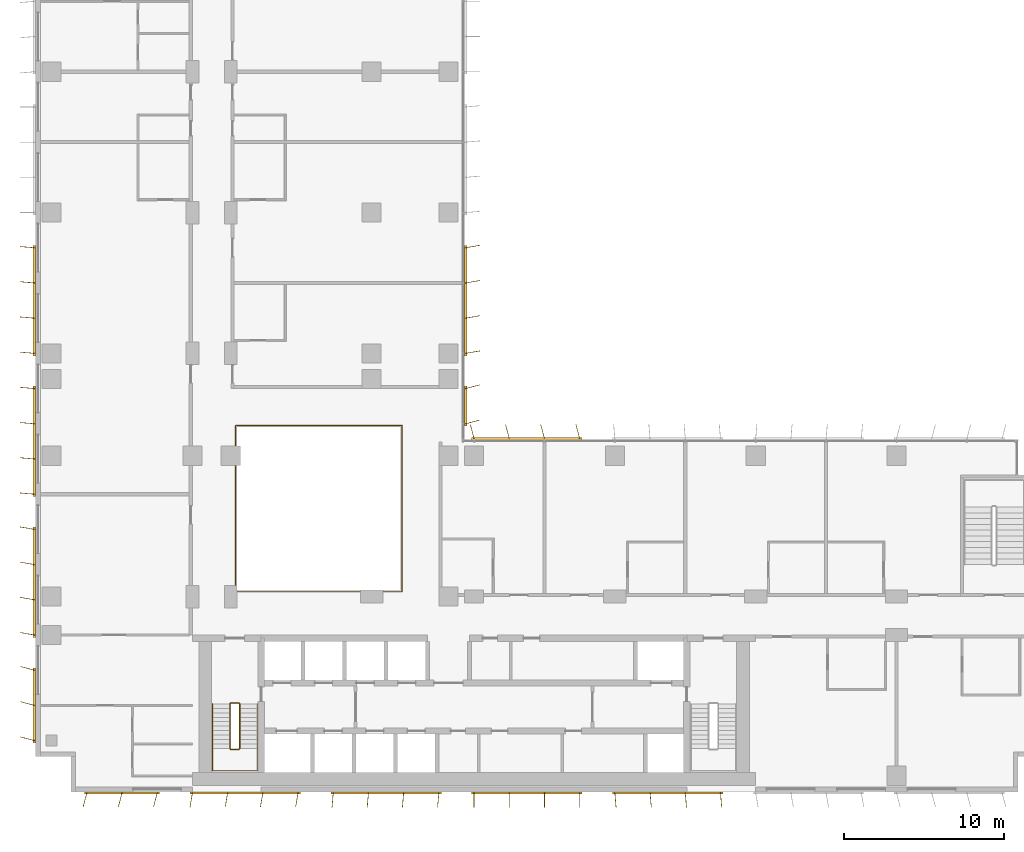
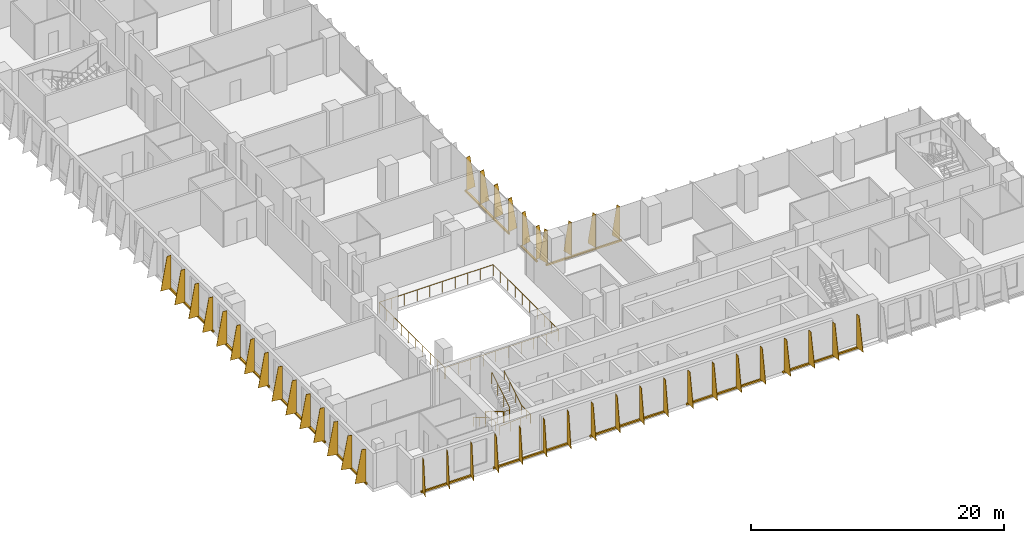
# One storey, part 19 of 22: 12 shading devices, 3 railings.
"""IFC4 building model written with IfcOpenShell, lengths in metres."""

from ifc_helpers import new_model, si_unit, direction, frame, origin, origin_2d, place, context, subcontext, project, spatial, polyline, rectangle, circle, outline, extrude, source, transform, mapped, material, layer, layer_set, type_object, element, save


model = new_model("IFC4")

# Units and contexts
model_context = context("Model", 3, precision=1e-05, world=origin(), true_north=direction((0.0, 1.0)))
body_context = subcontext(model_context, "Body", "Model", "MODEL_VIEW")
ifc_project = project(units=[si_unit("LENGTHUNIT", "METRE"), si_unit("AREAUNIT", "SQUARE_METRE"), si_unit("VOLUMEUNIT", "CUBIC_METRE"), si_unit("PLANEANGLEUNIT", "RADIAN"), si_unit("MASSUNIT", "GRAM", prefix="KILO")], contexts=[model_context])

# Site, building, storey
site_placement = place(None, origin())
site = spatial("IfcSite", under=ifc_project, at=site_placement, CompositionType="ELEMENT")
building_placement = place(site_placement, origin())
building = spatial("IfcBuilding", under=site, at=building_placement, Name="Kemantara Hotel Tower", CompositionType="ELEMENT")
storey_placement = place(building_placement, frame((0.0, 0.0, 122.199951171875)))
storey = spatial("IfcBuildingStorey", under=building, at=storey_placement, Name="L29", CompositionType="ELEMENT", Elevation=122.199951171875)

# Railings
ifc_material_1 = material(Name="Stainless steel and laminated glass balustrade", Category="steel")
railing_type_1 = type_object("IfcRailingType", Name="ATRIUM GUARD 1100", PredefinedType="GUARDRAIL", material=ifc_material_1)
railing_1_placement = place(storey_placement, frame((12.56005859375, 12.5, 0.0)))
element("IfcRailing", 1, at=railing_1_placement, inside=storey, type_object=railing_type_1, Name="ATRIUM GUARD L29", PredefinedType="GUARDRAIL", context=body_context, shape_type="SweptSolid", body=[
    extrude(circle(Radius=0.02490234375, at=origin_2d()), frame((0.0, 0.0, 1.0751953125), z_axis=(1.0, 0.0, 0.0), x_axis=(0.0, 1.0, 0.0)), (0.0, 0.0, 1.0), 10.33984375),
    extrude(circle(Radius=0.02490234375, at=origin_2d()), frame((10.33984375, 0.0, 1.0751953125), z_axis=(0.0, 1.0, 0.0), x_axis=(-1.0, 0.0, 0.0)), (0.0, 0.0, 1.0), 10.39990234375),
    extrude(circle(Radius=0.02490234375, at=origin_2d()), frame((10.33984375, 10.39990234375, 1.0751953125), z_axis=(-1.0, 0.0, 0.0), x_axis=(0.0, -1.0, 0.0)), (0.0, 0.0, 1.0), 10.39990234375),
    extrude(circle(Radius=0.02490234375, at=origin_2d()), frame((-0.06005859375, 10.39990234375, 1.0751953125), z_axis=(0.0, -1.0, 0.0), x_axis=(1.0, 0.0, 0.0)), (0.0, 0.0, 1.0), 10.39990234375),
    extrude(circle(Radius=0.02001953125, at=origin_2d()), origin(), (0.0, 0.0, 1.0), 1.050048828125),
    extrude(circle(Radius=0.02001953125, at=origin_2d()), frame((1.14892578125, 0.0, 0.0)), (0.0, 0.0, 1.0), 1.050048828125),
    extrude(circle(Radius=0.02001953125, at=origin_2d()), frame((2.2978515625, 0.0, 0.0)), (0.0, 0.0, 1.0), 1.050048828125),
    extrude(circle(Radius=0.02001953125, at=origin_2d()), frame((3.446533203125, 0.0, 0.0)), (0.0, 0.0, 1.0), 1.050048828125),
    extrude(circle(Radius=0.02001953125, at=origin_2d()), frame((4.595458984375, 0.0, 0.0)), (0.0, 0.0, 1.0), 1.050048828125),
    extrude(circle(Radius=0.02001953125, at=origin_2d()), frame((5.744384765625, 0.0, 0.0)), (0.0, 0.0, 1.0), 1.050048828125),
    extrude(circle(Radius=0.02001953125, at=origin_2d()), frame((6.893310546875, 0.0, 0.0)), (0.0, 0.0, 1.0), 1.050048828125),
    extrude(circle(Radius=0.02001953125, at=origin_2d()), frame((8.0419921875, 0.0, 0.0)), (0.0, 0.0, 1.0), 1.050048828125),
    extrude(circle(Radius=0.02001953125, at=origin_2d()), frame((9.19091796875, 0.0, 0.0)), (0.0, 0.0, 1.0), 1.050048828125),
    extrude(circle(Radius=0.02001953125, at=origin_2d()), frame((10.33984375, 0.0, 0.0)), (0.0, 0.0, 1.0), 1.050048828125),
    extrude(circle(Radius=0.02001953125, at=origin_2d()), frame((10.33984375, 1.155517578125, 0.0)), (0.0, 0.0, 1.0), 1.050048828125),
    extrude(circle(Radius=0.02001953125, at=origin_2d()), frame((10.33984375, 2.31103515625, 0.0)), (0.0, 0.0, 1.0), 1.050048828125),
    extrude(circle(Radius=0.02001953125, at=origin_2d()), frame((10.33984375, 3.466552734375, 0.0)), (0.0, 0.0, 1.0), 1.050048828125),
    extrude(circle(Radius=0.02001953125, at=origin_2d()), frame((10.33984375, 4.6220703125, 0.0)), (0.0, 0.0, 1.0), 1.050048828125),
    extrude(circle(Radius=0.02001953125, at=origin_2d()), frame((10.33984375, 5.77783203125, 0.0)), (0.0, 0.0, 1.0), 1.050048828125),
    extrude(circle(Radius=0.02001953125, at=origin_2d()), frame((10.33984375, 6.933349609375, 0.0)), (0.0, 0.0, 1.0), 1.050048828125),
    extrude(circle(Radius=0.02001953125, at=origin_2d()), frame((10.33984375, 8.0888671875, 0.0)), (0.0, 0.0, 1.0), 1.050048828125),
    extrude(circle(Radius=0.02001953125, at=origin_2d()), frame((10.33984375, 9.244384765625, 0.0)), (0.0, 0.0, 1.0), 1.050048828125),
    extrude(circle(Radius=0.02001953125, at=origin_2d()), frame((10.33984375, 10.39990234375, 0.0)), (0.0, 0.0, 1.0), 1.050048828125),
    extrude(circle(Radius=0.02001953125, at=origin_2d()), frame((9.184326171875, 10.39990234375, 0.0)), (0.0, 0.0, 1.0), 1.050048828125),
    extrude(circle(Radius=0.02001953125, at=origin_2d()), frame((8.02880859375, 10.39990234375, 0.0)), (0.0, 0.0, 1.0), 1.050048828125),
    extrude(circle(Radius=0.02001953125, at=origin_2d()), frame((6.873291015625, 10.39990234375, 0.0)), (0.0, 0.0, 1.0), 1.050048828125),
    extrude(circle(Radius=0.02001953125, at=origin_2d()), frame((5.7177734375, 10.39990234375, 0.0)), (0.0, 0.0, 1.0), 1.050048828125),
    extrude(circle(Radius=0.02001953125, at=origin_2d()), frame((4.56201171875, 10.39990234375, 0.0)), (0.0, 0.0, 1.0), 1.050048828125),
    extrude(circle(Radius=0.02001953125, at=origin_2d()), frame((3.406494140625, 10.39990234375, 0.0)), (0.0, 0.0, 1.0), 1.050048828125),
    extrude(circle(Radius=0.02001953125, at=origin_2d()), frame((2.2509765625, 10.39990234375, 0.0)), (0.0, 0.0, 1.0), 1.050048828125),
    extrude(circle(Radius=0.02001953125, at=origin_2d()), frame((1.095458984375, 10.39990234375, 0.0)), (0.0, 0.0, 1.0), 1.050048828125),
    extrude(circle(Radius=0.02001953125, at=origin_2d()), frame((-0.06005859375, 10.39990234375, 0.0)), (0.0, 0.0, 1.0), 1.050048828125),
    extrude(circle(Radius=0.02001953125, at=origin_2d()), frame((-0.06005859375, 9.244384765625, 0.0)), (0.0, 0.0, 1.0), 1.050048828125),
    extrude(circle(Radius=0.02001953125, at=origin_2d()), frame((-0.06005859375, 8.0888671875, 0.0)), (0.0, 0.0, 1.0), 1.050048828125),
    extrude(circle(Radius=0.02001953125, at=origin_2d()), frame((-0.06005859375, 6.933349609375, 0.0)), (0.0, 0.0, 1.0), 1.050048828125),
    extrude(circle(Radius=0.02001953125, at=origin_2d()), frame((-0.06005859375, 5.77783203125, 0.0)), (0.0, 0.0, 1.0), 1.050048828125),
    extrude(circle(Radius=0.02001953125, at=origin_2d()), frame((-0.06005859375, 4.6220703125, 0.0)), (0.0, 0.0, 1.0), 1.050048828125),
    extrude(circle(Radius=0.02001953125, at=origin_2d()), frame((-0.06005859375, 3.466552734375, 0.0)), (0.0, 0.0, 1.0), 1.050048828125),
    extrude(circle(Radius=0.02001953125, at=origin_2d()), frame((-0.06005859375, 2.31103515625, 0.0)), (0.0, 0.0, 1.0), 1.050048828125),
    extrude(circle(Radius=0.02001953125, at=origin_2d()), frame((-0.06005859375, 1.155517578125, 0.0)), (0.0, 0.0, 1.0), 1.050048828125),
    extrude(circle(Radius=0.02001953125, at=origin_2d()), frame((-0.06005859375, 0.0, 0.0)), (0.0, 0.0, 1.0), 1.050048828125),
])
ifc_material_2 = material(Name="Stainless steel balustrade", Category="steel")
railing_type_2 = type_object("IfcRailingType", Name="Stair guard 1100 mm", PredefinedType="GUARDRAIL", material=ifc_material_2)
railing_2_placement = place(storey_placement, frame((12.75, 5.5, 3.699951171875)))
element("IfcRailing", 2, at=railing_2_placement, inside=storey, type_object=railing_type_2, Name="L29 ST1 stair guard 1", PredefinedType="GUARDRAIL", context=body_context, shape_type="SweptSolid", body=[
    extrude(circle(Radius=0.02392578125, at=origin_2d()), frame((0.0, 0.0, 1.076171875), z_axis=(0.0, -0.857275202839, -0.514858452973), x_axis=(1.0, 0.0, 0.0)), (0.0, 0.0, 1.0), 3.26611328125),
    extrude(circle(Radius=0.02392578125, at=origin_2d()), frame((0.0, -2.800048828125, -0.60546875), z_axis=(-0.274243871929, -0.274243871929, -0.92172696468), x_axis=(0.707106781187, -0.707106781187, 0.0)), (0.0, 0.0, 1.0), 0.1826171875),
    extrude(circle(Radius=0.02392578125, at=origin_2d()), frame((-0.050048828125, -2.85009765625, -0.77392578125), z_axis=(-1.0, 0.0, 0.0), x_axis=(0.0, -1.0, 0.0)), (0.0, 0.0, 1.0), 0.5),
    extrude(circle(Radius=0.02392578125, at=origin_2d()), frame((-0.550048828125, -2.85009765625, -0.77392578125), z_axis=(-0.707106781187, 0.707106781187, 0.0), x_axis=(-0.707106781187, -0.707106781187, 0.0)), (0.0, 0.0, 1.0), 0.07080078125),
    extrude(circle(Radius=0.02392578125, at=origin_2d()), frame((-0.60009765625, -2.800048828125, -0.77392578125), z_axis=(0.0, 0.857242210791, -0.514913383045), x_axis=(-1.0, 0.0, 0.0)), (0.0, 0.0, 1.0), 3.266357421875),
    extrude(circle(Radius=0.02392578125, at=origin_2d()), frame((-0.60009765625, 0.0, -2.45556640625), z_axis=(0.274243871929, 0.274243871929, -0.92172696468), x_axis=(-0.707106781187, 0.707106781187, 0.0)), (0.0, 0.0, 1.0), 0.1826171875),
    extrude(circle(Radius=0.02392578125, at=origin_2d()), frame((-0.550048828125, 0.050048828125, -2.6240234375), z_axis=(1.0, 0.0, 0.0), x_axis=(0.0, 1.0, 0.0)), (0.0, 0.0, 1.0), 0.5),
    extrude(circle(Radius=0.02099609375, at=origin_2d()), origin(), (0.0, 0.0, 1.0), 1.052001953125),
    extrude(circle(Radius=0.02099609375, at=origin_2d()), frame((0.0, -0.933349609375, -0.560546875)), (0.0, 0.0, 1.0), 1.052001953125),
    extrude(circle(Radius=0.02099609375, at=origin_2d()), frame((0.0, -1.86669921875, -1.12109375)), (0.0, 0.0, 1.0), 1.052001953125),
    extrude(circle(Radius=0.02099609375, at=origin_2d()), frame((0.0, -2.800048828125, -1.681640625)), (0.0, 0.0, 1.0), 1.052001953125),
    extrude(circle(Radius=0.02099609375, at=origin_2d()), frame((-0.050048828125, -2.85009765625, -1.849853515625)), (0.0, 0.0, 1.0), 1.052001953125),
    extrude(circle(Radius=0.02099609375, at=origin_2d()), frame((-0.550048828125, -2.85009765625, -1.849853515625)), (0.0, 0.0, 1.0), 1.052001953125),
    extrude(circle(Radius=0.02099609375, at=origin_2d()), frame((-0.60009765625, -2.800048828125, -1.849853515625)), (0.0, 0.0, 1.0), 1.052001953125),
    extrude(circle(Radius=0.02099609375, at=origin_2d()), frame((-0.60009765625, -1.86669921875, -2.410400390625)), (0.0, 0.0, 1.0), 1.052001953125),
    extrude(circle(Radius=0.02099609375, at=origin_2d()), frame((-0.60009765625, -0.933349609375, -2.97119140625)), (0.0, 0.0, 1.0), 1.052001953125),
    extrude(circle(Radius=0.02099609375, at=origin_2d()), frame((-0.60009765625, 0.0, -3.53173828125)), (0.0, 0.0, 1.0), 1.052001953125),
    extrude(circle(Radius=0.02099609375, at=origin_2d()), frame((-0.550048828125, 0.050048828125, -3.699951171875)), (0.0, 0.0, 1.0), 1.052001953125),
    extrude(circle(Radius=0.02099609375, at=origin_2d()), frame((-0.050048828125, 0.050048828125, -3.699951171875)), (0.0, 0.0, 1.0), 1.052001953125),
])
railing_type_3 = type_object("IfcRailingType", Name="Stair handrail 900 mm", PredefinedType="HANDRAIL", material=ifc_material_2)
railing_3_placement = place(storey_placement, frame((11.050048828125, 5.5, 0.168212890625)))
element("IfcRailing", 3, at=railing_3_placement, inside=storey, type_object=railing_type_3, Name="L29 ST1 stair handrail 1", PredefinedType="HANDRAIL", context=body_context, shape_type="SweptSolid", body=[
    extrude(circle(Radius=0.02392578125, at=origin_2d()), frame((0.0, 0.0, 0.8759765625), z_axis=(0.0, -0.857242210791, 0.514913383045), x_axis=(1.0, 0.0, 0.0)), (0.0, 0.0, 1.0), 3.266357421875),
    extrude(circle(Radius=0.02392578125, at=origin_2d()), frame((0.0, -2.800048828125, 2.5576171875), z_axis=(0.0, -1.0, 0.0), x_axis=(1.0, 0.0, 0.0)), (0.0, 0.0, 1.0), 1.3798828125),
    extrude(circle(Radius=0.02392578125, at=origin_2d()), frame((0.0, -4.179931640625, 2.5576171875), z_axis=(0.998200367801, 0.0, 0.059966871865), x_axis=(0.0, 1.0, 0.0)), (0.0, 0.0, 1.0), 2.80517578125),
    extrude(circle(Radius=0.02392578125, at=origin_2d()), frame((2.800048828125, -4.179931640625, 2.72607421875), z_axis=(0.0, 1.0, 0.0), x_axis=(-1.0, 0.0, 0.0)), (0.0, 0.0, 1.0), 1.3798828125),
    extrude(circle(Radius=0.02392578125, at=origin_2d()), frame((2.800048828125, -2.800048828125, 2.72607421875), z_axis=(0.0, 0.857275202839, 0.514858452973), x_axis=(-1.0, 0.0, 0.0)), (0.0, 0.0, 1.0), 3.26611328125),
    extrude(circle(Radius=0.02099609375, at=origin_2d()), origin(), (0.0, 0.0, 1.0), 0.851806640625),
    extrude(circle(Radius=0.02099609375, at=origin_2d()), frame((0.0, -0.933349609375, 0.560546875)), (0.0, 0.0, 1.0), 0.851806640625),
    extrude(circle(Radius=0.02099609375, at=origin_2d()), frame((0.0, -1.86669921875, 1.121337890625)), (0.0, 0.0, 1.0), 0.851806640625),
    extrude(circle(Radius=0.02099609375, at=origin_2d()), frame((0.0, -2.800048828125, 1.681884765625)), (0.0, 0.0, 1.0), 0.851806640625),
    extrude(circle(Radius=0.02099609375, at=origin_2d()), frame((0.0, -3.489990234375, 1.681884765625)), (0.0, 0.0, 1.0), 0.851806640625),
    extrude(circle(Radius=0.02099609375, at=origin_2d()), frame((0.0, -4.179931640625, 1.681884765625)), (0.0, 0.0, 1.0), 0.851806640625),
    extrude(circle(Radius=0.02099609375, at=origin_2d()), frame((0.933349609375, -4.179931640625, 1.738037109375)), (0.0, 0.0, 1.0), 0.851806640625),
    extrude(circle(Radius=0.02099609375, at=origin_2d()), frame((1.86669921875, -4.179931640625, 1.7939453125)), (0.0, 0.0, 1.0), 0.851806640625),
    extrude(circle(Radius=0.02099609375, at=origin_2d()), frame((2.800048828125, -4.179931640625, 1.85009765625)), (0.0, 0.0, 1.0), 0.851806640625),
    extrude(circle(Radius=0.02099609375, at=origin_2d()), frame((2.800048828125, -3.489990234375, 1.85009765625)), (0.0, 0.0, 1.0), 0.851806640625),
    extrude(circle(Radius=0.02099609375, at=origin_2d()), frame((2.800048828125, -2.800048828125, 1.85009765625)), (0.0, 0.0, 1.0), 0.851806640625),
    extrude(circle(Radius=0.02099609375, at=origin_2d()), frame((2.800048828125, -1.86669921875, 2.41064453125)), (0.0, 0.0, 1.0), 0.851806640625),
    extrude(circle(Radius=0.02099609375, at=origin_2d()), frame((2.800048828125, -0.933349609375, 2.97119140625)), (0.0, 0.0, 1.0), 0.851806640625),
    extrude(circle(Radius=0.02099609375, at=origin_2d()), frame((2.800048828125, 0.0, 3.53173828125)), (0.0, 0.0, 1.0), 0.851806640625),
])

# Shading devices
ifc_material_3 = material(Name="Perforated aluminium plate 4 mm bronze anodised", Category="aluminium")
ifc_layer_1 = layer(ifc_material_3, 0.0400390625)
ifc_layer_set_1 = layer_set([ifc_layer_1], Name="Perforated aluminium plate 4 mm bronze anodised")
shading_device_type_1 = type_object("IfcShadingDeviceType", Name="SCREEN FIN CASSETTE, 3 BLADES AT -15.0 DEG, 3200 HIGH", PredefinedType="USERDEFINED", material=ifc_layer_set_1)
shared_shape_1 = source(origin(), body_context, "Body", "SweptSolid", [
    extrude(rectangle(XDim=4.699951171875, YDim=0.14990234375, at=origin_2d()), frame((2.199951171875, -0.074951171875, -0.14990234375), z_axis=(0.0, 0.0, 1.0), x_axis=(1.0, 0.0, 0.0)), (0.0, 0.0, 1.0), 0.14990234375),
    extrude(outline(polyline([(0.0, 0.0), (0.89990234375, 0.0), (0.35009765625, 3.199951171875), (0.0, 3.199951171875), (0.0, 0.0)])), frame((0.019287109375, -0.080078125, 0.0), z_axis=(-0.966437683387, 0.256901156343, 0.0), x_axis=(-0.256901156343, -0.966437683387, 0.0)), (0.0, 0.0, 1.0), 0.039794921875),
    extrude(outline(polyline([(0.0, 0.0), (0.89990234375, 0.0), (0.35009765625, 3.199951171875), (0.0, 3.199951171875), (0.0, 0.0)])), frame((2.21923828125, -0.080078125, 0.0), z_axis=(-0.966437683387, 0.256901156343, 0.0), x_axis=(-0.256901156343, -0.966437683387, 0.0)), (0.0, 0.0, 1.0), 0.039794921875),
    extrude(outline(polyline([(0.0, 0.0), (0.89990234375, 0.0), (0.35009765625, 3.199951171875), (0.0, 3.199951171875), (0.0, 0.0)])), frame((4.41943359375, -0.080078125, 0.0), z_axis=(-0.966837822169, 0.255391122837, 0.0), x_axis=(-0.255391122837, -0.966837822169, 0.0)), (0.0, 0.0, 1.0), 0.0400390625),
])
for number, where, z_axis, x_axis, name in (
    (4, (0.0, 7.60009765625, 0.10009765625), (0.0, 0.0, 1.0), (0.0, -1.0, 0.0), "SCREEN FIN CASSETTE L29 T2-R04-9"),
    (5, (3.199951171875, 0.0, 0.10009765625), (0.0, 0.0, 1.0), (1.0, 0.0, 0.0), "SCREEN FIN CASSETTE L29 T2-R07-1"),
):
    element("IfcShadingDevice", number, at=place(storey_placement, frame(where, z_axis=z_axis, x_axis=x_axis)), inside=storey, type_object=shading_device_type_1, Name=name, ObjectType="SCREEN FIN", PredefinedType="USERDEFINED", context=body_context, shape_type="MappedRepresentation", body=[
        mapped(shared_shape_1, transform((0.0, 0.0, 0.0))),
    ])
ifc_layer_2 = layer(ifc_material_3, 0.0400390625)
ifc_layer_set_2 = layer_set([ifc_layer_2], Name="Perforated aluminium plate 4 mm bronze anodised")
shading_device_type_2 = type_object("IfcShadingDeviceType", Name="SCREEN FIN CASSETTE, 4 BLADES AT -10.0 DEG, 3200 HIGH", PredefinedType="USERDEFINED", material=ifc_layer_set_2)
shared_shape_2 = source(origin(), body_context, "Body", "SweptSolid", [
    extrude(rectangle(XDim=6.89990234375, YDim=0.14990234375, at=origin_2d()), frame((3.300048828125, -0.074951171875, -0.14990234375), z_axis=(0.0, 0.0, 1.0), x_axis=(1.0, 0.0, 0.0)), (0.0, 0.0, 1.0), 0.14990234375),
    extrude(outline(polyline([(0.0, 0.0), (0.89990234375, 0.0), (0.35009765625, 3.199951171875), (0.0, 3.199951171875), (0.0, 0.0)])), frame((0.019775390625, -0.078369140625, 0.0), z_axis=(-0.985389793052, 0.170314285219, 0.0), x_axis=(-0.170314285219, -0.985389793052, 0.0)), (0.0, 0.0, 1.0), 0.0400390625),
    extrude(outline(polyline([(0.0, 0.0), (0.89990234375, 0.0), (0.35009765625, 3.199951171875), (0.0, 3.199951171875), (0.0, 0.0)])), frame((2.2197265625, -0.078369140625, 0.0), z_axis=(-0.98521175482, 0.171341174751, 0.0), x_axis=(-0.171341174751, -0.98521175482, 0.0)), (0.0, 0.0, 1.0), 0.039794921875),
    extrude(outline(polyline([(0.0, 0.0), (0.89990234375, 0.0), (0.35009765625, 3.199951171875), (0.0, 3.199951171875), (0.0, 0.0)])), frame((4.419677734375, -0.078369140625, 0.0), z_axis=(-0.98521175482, 0.171341174751, 0.0), x_axis=(-0.171341174751, -0.98521175482, 0.0)), (0.0, 0.0, 1.0), 0.039794921875),
    extrude(outline(polyline([(0.0, 0.0), (0.89990234375, 0.0), (0.35009765625, 3.199951171875), (0.0, 3.199951171875), (0.0, 0.0)])), frame((6.61962890625, -0.078369140625, 0.0), z_axis=(-0.98521175482, 0.171341174751, 0.0), x_axis=(-0.171341174751, -0.98521175482, 0.0)), (0.0, 0.0, 1.0), 0.039794921875),
])
for number, where, z_axis, x_axis, name in (
    (6, (0.0, 16.39990234375, 0.10009765625), (0.0, 0.0, 1.0), (0.0, -1.0, 0.0), "SCREEN FIN CASSETTE L29 T2-R04-8"),
    (7, (9.800048828125, 0.0, 0.10009765625), (0.0, 0.0, 1.0), (1.0, 0.0, 0.0), "SCREEN FIN CASSETTE L29 T2-R07-2"),
):
    element("IfcShadingDevice", number, at=place(storey_placement, frame(where, z_axis=z_axis, x_axis=x_axis)), inside=storey, type_object=shading_device_type_2, Name=name, ObjectType="SCREEN FIN", PredefinedType="USERDEFINED", context=body_context, shape_type="MappedRepresentation", body=[
        mapped(shared_shape_2, transform((0.0, 0.0, 0.0))),
    ])
ifc_layer_3 = layer(ifc_material_3, 0.0400390625)
ifc_layer_set_3 = layer_set([ifc_layer_3], Name="Perforated aluminium plate 4 mm bronze anodised")
shading_device_type_3 = type_object("IfcShadingDeviceType", Name="SCREEN FIN CASSETTE, 4 BLADES AT -5.0 DEG, 3200 HIGH", PredefinedType="USERDEFINED", material=ifc_layer_set_3)
shared_shape_3 = source(origin(), body_context, "Body", "SweptSolid", [
    extrude(rectangle(XDim=6.89990234375, YDim=0.14990234375, at=origin_2d()), frame((3.300048828125, -0.074951171875, -0.14990234375), z_axis=(0.0, 0.0, 1.0), x_axis=(1.0, 0.0, 0.0)), (0.0, 0.0, 1.0), 0.14990234375),
    extrude(outline(polyline([(0.0, 0.0), (0.89990234375, 0.0), (0.35009765625, 3.199951171875), (0.0, 3.199951171875), (0.0, 0.0)])), frame((0.02001953125, -0.07666015625, 0.0), z_axis=(-0.996376129781, 0.085056498884, 0.0), x_axis=(-0.085056498884, -0.996376129781, 0.0)), (0.0, 0.0, 1.0), 0.040283203125),
    extrude(outline(polyline([(0.0, 0.0), (0.89990234375, 0.0), (0.35009765625, 3.199951171875), (0.0, 3.199951171875), (0.0, 0.0)])), frame((2.219970703125, -0.07666015625, 0.0), z_axis=(-0.996331773833, 0.085574508182, 0.0), x_axis=(-0.085574508182, -0.996331773833, 0.0)), (0.0, 0.0, 1.0), 0.0400390625),
    extrude(outline(polyline([(0.0, 0.0), (0.89990234375, 0.0), (0.35009765625, 3.199951171875), (0.0, 3.199951171875), (0.0, 0.0)])), frame((4.419921875, -0.07666015625, 0.0), z_axis=(-0.996331773833, 0.085574508182, 0.0), x_axis=(-0.085574508182, -0.996331773833, 0.0)), (0.0, 0.0, 1.0), 0.0400390625),
    extrude(outline(polyline([(0.0, 0.0), (0.89990234375, 0.0), (0.35009765625, 3.199951171875), (0.0, 3.199951171875), (0.0, 0.0)])), frame((6.619873046875, -0.07666015625, 0.0), z_axis=(-0.996331773833, 0.085574508182, 0.0), x_axis=(-0.085574508182, -0.996331773833, 0.0)), (0.0, 0.0, 1.0), 0.0400390625),
])
for number, where, z_axis, x_axis, name in (
    (8, (0.0, 34.0, 0.10009765625), (0.0, 0.0, 1.0), (0.0, -1.0, 0.0), "SCREEN FIN CASSETTE L29 T2-R04-6"),
    (9, (0.0, 25.199951171875, 0.10009765625), (0.0, 0.0, 1.0), (0.0, -1.0, 0.0), "SCREEN FIN CASSETTE L29 T2-R04-7"),
    (10, (18.60009765625, 0.0, 0.10009765625), (0.0, 0.0, 1.0), (1.0, 0.0, 0.0), "SCREEN FIN CASSETTE L29 T2-R07-3"),
):
    element("IfcShadingDevice", number, at=place(storey_placement, frame(where, z_axis=z_axis, x_axis=x_axis)), inside=storey, type_object=shading_device_type_3, Name=name, ObjectType="SCREEN FIN", PredefinedType="USERDEFINED", context=body_context, shape_type="MappedRepresentation", body=[
        mapped(shared_shape_3, transform((0.0, 0.0, 0.0))),
    ])
ifc_layer_4 = layer(ifc_material_3, 0.0400390625)
ifc_layer_set_4 = layer_set([ifc_layer_4], Name="Perforated aluminium plate 4 mm bronze anodised")
shading_device_type_4 = type_object("IfcShadingDeviceType", Name="SCREEN FIN CASSETTE, 4 BLADES AT +0.0 DEG, 3200 HIGH", PredefinedType="USERDEFINED", material=ifc_layer_set_4)
shared_shape_4 = source(origin(), body_context, "Body", "SweptSolid", [
    extrude(rectangle(XDim=6.89990234375, YDim=0.14990234375, at=origin_2d()), frame((3.300048828125, -0.074951171875, -0.14990234375), z_axis=(0.0, 0.0, 1.0), x_axis=(1.0, 0.0, 0.0)), (0.0, 0.0, 1.0), 0.14990234375),
    extrude(outline(polyline([(0.0, 0.0), (0.89990234375, 0.0), (0.35009765625, 3.199951171875), (0.0, 3.199951171875), (0.0, 0.0)])), frame((0.02001953125, -0.074951171875, 0.0), z_axis=(-1.0, 0.0, 0.0), x_axis=(0.0, -1.0, 0.0)), (0.0, 0.0, 1.0), 0.0400390625),
    extrude(outline(polyline([(0.0, 0.0), (0.89990234375, 0.0), (0.35009765625, 3.199951171875), (0.0, 3.199951171875), (0.0, 0.0)])), frame((2.219970703125, -0.074951171875, 0.0), z_axis=(-1.0, 0.0, 0.0), x_axis=(0.0, -1.0, 0.0)), (0.0, 0.0, 1.0), 0.0400390625),
    extrude(outline(polyline([(0.0, 0.0), (0.89990234375, 0.0), (0.35009765625, 3.199951171875), (0.0, 3.199951171875), (0.0, 0.0)])), frame((4.419921875, -0.074951171875, 0.0), z_axis=(-1.0, 0.0, 0.0), x_axis=(0.0, -1.0, 0.0)), (0.0, 0.0, 1.0), 0.0400390625),
    extrude(outline(polyline([(0.0, 0.0), (0.89990234375, 0.0), (0.35009765625, 3.199951171875), (0.0, 3.199951171875), (0.0, 0.0)])), frame((6.6201171875, -0.074951171875, 0.0), z_axis=(-1.0, 0.0, 0.0), x_axis=(0.0, -1.0, 0.0)), (0.0, 0.0, 1.0), 0.0400390625),
])
shading_device_1_placement = place(storey_placement, frame((27.39990234375, 0.0, 0.10009765625), z_axis=(0.0, 0.0, 1.0), x_axis=(1.0, 0.0, 0.0)))
element("IfcShadingDevice", 11, at=shading_device_1_placement, inside=storey, type_object=shading_device_type_4, Name="SCREEN FIN CASSETTE L29 T2-R07-4", ObjectType="SCREEN FIN", PredefinedType="USERDEFINED", context=body_context, shape_type="MappedRepresentation", body=[
    mapped(shared_shape_4, transform((0.0, 0.0, 0.0))),
])
ifc_layer_5 = layer(ifc_material_3, 0.0400390625)
ifc_layer_set_5 = layer_set([ifc_layer_5], Name="Perforated aluminium plate 4 mm bronze anodised")
shading_device_type_5 = type_object("IfcShadingDeviceType", Name="SCREEN FIN CASSETTE, 4 BLADES AT +5.0 DEG, 3200 HIGH", PredefinedType="USERDEFINED", material=ifc_layer_set_5)
shared_shape_5 = source(origin(), body_context, "Body", "SweptSolid", [
    extrude(rectangle(XDim=6.89990234375, YDim=0.14990234375, at=origin_2d()), frame((3.300048828125, -0.074951171875, -0.14990234375), z_axis=(0.0, 0.0, 1.0), x_axis=(1.0, 0.0, 0.0)), (0.0, 0.0, 1.0), 0.14990234375),
    extrude(outline(polyline([(0.0, 0.0), (0.89990234375, 0.0), (0.35009765625, 3.199951171875), (0.0, 3.199951171875), (0.0, 0.0)])), frame((0.02001953125, -0.0732421875, 0.0), z_axis=(-0.996376129781, -0.085056498884, 0.0), x_axis=(0.085056498884, -0.996376129781, 0.0)), (0.0, 0.0, 1.0), 0.040283203125),
    extrude(outline(polyline([(0.0, 0.0), (0.89990234375, 0.0), (0.35009765625, 3.199951171875), (0.0, 3.199951171875), (0.0, 0.0)])), frame((2.219970703125, -0.0732421875, 0.0), z_axis=(-0.996331773833, -0.085574508182, 0.0), x_axis=(0.085574508182, -0.996331773833, 0.0)), (0.0, 0.0, 1.0), 0.0400390625),
    extrude(outline(polyline([(0.0, 0.0), (0.89990234375, 0.0), (0.35009765625, 3.199951171875), (0.0, 3.199951171875), (0.0, 0.0)])), frame((4.419921875, -0.0732421875, 0.0), z_axis=(-0.996331773833, -0.085574508182, 0.0), x_axis=(0.085574508182, -0.996331773833, 0.0)), (0.0, 0.0, 1.0), 0.0400390625),
    extrude(outline(polyline([(0.0, 0.0), (0.89990234375, 0.0), (0.35009765625, 3.199951171875), (0.0, 3.199951171875), (0.0, 0.0)])), frame((6.619873046875, -0.0732421875, 0.0), z_axis=(-0.996331773833, -0.085574508182, 0.0), x_axis=(0.085574508182, -0.996331773833, 0.0)), (0.0, 0.0, 1.0), 0.0400390625),
])
shading_device_2_placement = place(storey_placement, frame((36.199951171875, 0.0, 0.10009765625), z_axis=(0.0, 0.0, 1.0), x_axis=(1.0, 0.0, 0.0)))
element("IfcShadingDevice", 12, at=shading_device_2_placement, inside=storey, type_object=shading_device_type_5, Name="SCREEN FIN CASSETTE L29 T2-R07-5", ObjectType="SCREEN FIN", PredefinedType="USERDEFINED", context=body_context, shape_type="MappedRepresentation", body=[
    mapped(shared_shape_5, transform((0.0, 0.0, 0.0))),
])
ifc_layer_6 = layer(ifc_material_3, 0.0400390625)
ifc_layer_set_6 = layer_set([ifc_layer_6], Name="Perforated aluminium plate 4 mm bronze anodised")
shading_device_type_6 = type_object("IfcShadingDeviceType", Name="SCREEN FIN CASSETTE, 4 BLADES AT +10.0 DEG, 3200 HIGH", PredefinedType="USERDEFINED", material=ifc_layer_set_6)
shared_shape_6 = source(origin(), body_context, "Body", "SweptSolid", [
    extrude(rectangle(XDim=6.89990234375, YDim=0.14990234375, at=origin_2d()), frame((3.300048828125, -0.074951171875, -0.14990234375), z_axis=(0.0, 0.0, 1.0), x_axis=(1.0, 0.0, 0.0)), (0.0, 0.0, 1.0), 0.14990234375),
    extrude(outline(polyline([(0.0, 0.0), (0.89990234375, 0.0), (0.35009765625, 3.199951171875), (0.0, 3.199951171875), (0.0, 0.0)])), frame((0.019775390625, -0.071533203125, 0.0), z_axis=(-0.985389793052, -0.170314285219, 0.0), x_axis=(0.170314285219, -0.985389793052, 0.0)), (0.0, 0.0, 1.0), 0.0400390625),
    extrude(outline(polyline([(0.0, 0.0), (0.89990234375, 0.0), (0.35009765625, 3.199951171875), (0.0, 3.199951171875), (0.0, 0.0)])), frame((2.2197265625, -0.071533203125, 0.0), z_axis=(-0.98521175482, -0.171341174751, 0.0), x_axis=(0.171341174751, -0.98521175482, 0.0)), (0.0, 0.0, 1.0), 0.039794921875),
    extrude(outline(polyline([(0.0, 0.0), (0.89990234375, 0.0), (0.35009765625, 3.199951171875), (0.0, 3.199951171875), (0.0, 0.0)])), frame((4.419677734375, -0.071533203125, 0.0), z_axis=(-0.98521175482, -0.171341174751, 0.0), x_axis=(0.171341174751, -0.98521175482, 0.0)), (0.0, 0.0, 1.0), 0.039794921875),
    extrude(outline(polyline([(0.0, 0.0), (0.89990234375, 0.0), (0.35009765625, 3.199951171875), (0.0, 3.199951171875), (0.0, 0.0)])), frame((6.61962890625, -0.071533203125, 0.0), z_axis=(-0.98521175482, -0.171341174751, 0.0), x_axis=(0.171341174751, -0.98521175482, 0.0)), (0.0, 0.0, 1.0), 0.039794921875),
])
shading_device_3_placement = place(storey_placement, frame((26.800048828125, 27.39990234375, 0.10009765625), z_axis=(0.0, 0.0, 1.0), x_axis=(0.0, 1.0, 0.0)))
element("IfcShadingDevice", 13, at=shading_device_3_placement, inside=storey, type_object=shading_device_type_6, Name="SCREEN FIN CASSETTE L29 T2-R14-2", ObjectType="SCREEN FIN", PredefinedType="USERDEFINED", context=body_context, shape_type="MappedRepresentation", body=[
    mapped(shared_shape_6, transform((0.0, 0.0, 0.0))),
])
ifc_layer_7 = layer(ifc_material_3, 0.0400390625)
ifc_layer_set_7 = layer_set([ifc_layer_7], Name="Perforated aluminium plate 4 mm bronze anodised")
shading_device_type_7 = type_object("IfcShadingDeviceType", Name="SCREEN FIN CASSETTE, 4 BLADES AT +15.0 DEG, 3200 HIGH", PredefinedType="USERDEFINED", material=ifc_layer_set_7)
shared_shape_7 = source(origin(), body_context, "Body", "SweptSolid", [
    extrude(rectangle(XDim=6.89990234375, YDim=0.14990234375, at=origin_2d()), frame((3.300048828125, -0.074951171875, -0.14990234375), z_axis=(0.0, 0.0, 1.0), x_axis=(1.0, 0.0, 0.0)), (0.0, 0.0, 1.0), 0.14990234375),
    extrude(outline(polyline([(0.0, 0.0), (0.89990234375, 0.0), (0.35009765625, 3.199951171875), (0.0, 3.199951171875), (0.0, 0.0)])), frame((0.019287109375, -0.06982421875, 0.0), z_axis=(-0.966437683387, -0.256901156343, 0.0), x_axis=(0.256901156343, -0.966437683387, 0.0)), (0.0, 0.0, 1.0), 0.039794921875),
    extrude(outline(polyline([(0.0, 0.0), (0.89990234375, 0.0), (0.35009765625, 3.199951171875), (0.0, 3.199951171875), (0.0, 0.0)])), frame((2.21923828125, -0.06982421875, 0.0), z_axis=(-0.966437683387, -0.256901156343, 0.0), x_axis=(0.256901156343, -0.966437683387, 0.0)), (0.0, 0.0, 1.0), 0.039794921875),
    extrude(outline(polyline([(0.0, 0.0), (0.89990234375, 0.0), (0.35009765625, 3.199951171875), (0.0, 3.199951171875), (0.0, 0.0)])), frame((4.41943359375, -0.06982421875, 0.0), z_axis=(-0.966837822169, -0.255391122837, 0.0), x_axis=(0.255391122837, -0.966837822169, 0.0)), (0.0, 0.0, 1.0), 0.0400390625),
    extrude(outline(polyline([(0.0, 0.0), (0.89990234375, 0.0), (0.35009765625, 3.199951171875), (0.0, 3.199951171875), (0.0, 0.0)])), frame((6.619384765625, -0.06982421875, 0.0), z_axis=(-0.966837822169, -0.255391122837, 0.0), x_axis=(0.255391122837, -0.966837822169, 0.0)), (0.0, 0.0, 1.0), 0.0400390625),
])
shading_device_4_placement = place(storey_placement, frame((34.0, 22.0, 0.10009765625), z_axis=(0.0, 0.0, 1.0), x_axis=(-1.0, 0.0, 0.0)))
element("IfcShadingDevice", 14, at=shading_device_4_placement, inside=storey, type_object=shading_device_type_7, Name="SCREEN FIN CASSETTE L29 T2-R13-4", ObjectType="SCREEN FIN", PredefinedType="USERDEFINED", context=body_context, shape_type="MappedRepresentation", body=[
    mapped(shared_shape_7, transform((0.0, 0.0, 0.0))),
])
ifc_layer_8 = layer(ifc_material_3, 0.0400390625)
ifc_layer_set_8 = layer_set([ifc_layer_8], Name="Perforated aluminium plate 4 mm bronze anodised")
shading_device_type_8 = type_object("IfcShadingDeviceType", Name="SCREEN FIN CASSETTE, 2 BLADES AT +15.0 DEG, 3200 HIGH", PredefinedType="USERDEFINED", material=ifc_layer_set_8)
shared_shape_8 = source(origin(), body_context, "Body", "SweptSolid", [
    extrude(rectangle(XDim=2.5, YDim=0.14990234375, at=origin_2d()), frame((1.10009765625, -0.074951171875, -0.14990234375), z_axis=(0.0, 0.0, 1.0), x_axis=(1.0, 0.0, 0.0)), (0.0, 0.0, 1.0), 0.14990234375),
    extrude(outline(polyline([(0.0, 0.0), (0.89990234375, 0.0), (0.35009765625, 3.199951171875), (0.0, 3.199951171875), (0.0, 0.0)])), frame((0.019287109375, -0.06982421875, 0.0), z_axis=(-0.966437683387, -0.256901156343, 0.0), x_axis=(0.256901156343, -0.966437683387, 0.0)), (0.0, 0.0, 1.0), 0.039794921875),
    extrude(outline(polyline([(0.0, 0.0), (0.89990234375, 0.0), (0.35009765625, 3.199951171875), (0.0, 3.199951171875), (0.0, 0.0)])), frame((2.21923828125, -0.06982421875, 0.0), z_axis=(-0.966437683387, -0.256901156343, 0.0), x_axis=(0.256901156343, -0.966437683387, 0.0)), (0.0, 0.0, 1.0), 0.039794921875),
])
shading_device_5_placement = place(storey_placement, frame((26.800048828125, 23.0, 0.10009765625), z_axis=(0.0, 0.0, 1.0), x_axis=(0.0, 1.0, 0.0)))
element("IfcShadingDevice", 15, at=shading_device_5_placement, inside=storey, type_object=shading_device_type_8, Name="SCREEN FIN CASSETTE L29 T2-R14-1", ObjectType="SCREEN FIN", PredefinedType="USERDEFINED", context=body_context, shape_type="MappedRepresentation", body=[
    mapped(shared_shape_8, transform((0.0, 0.0, 0.0))),
])

save(model, "model.ifc")
